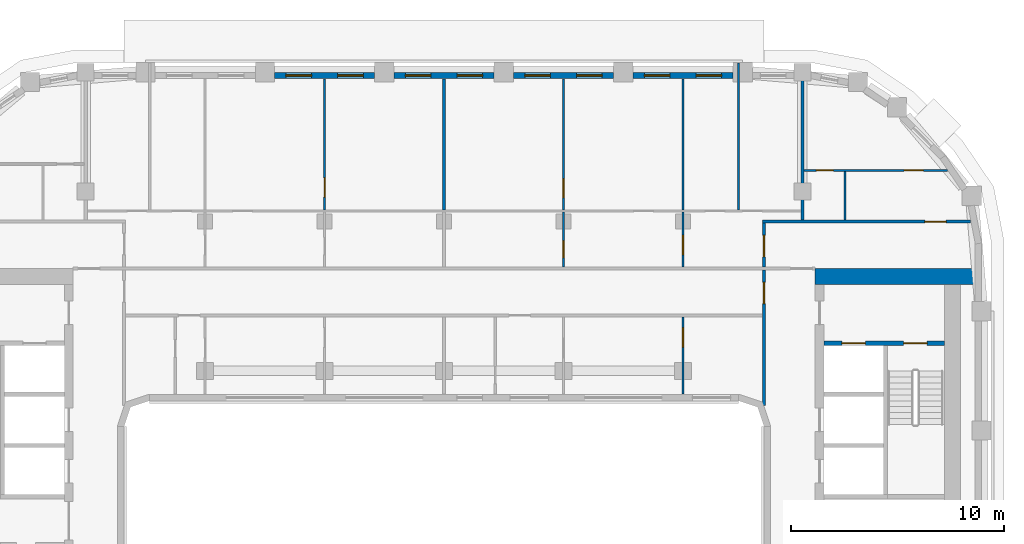
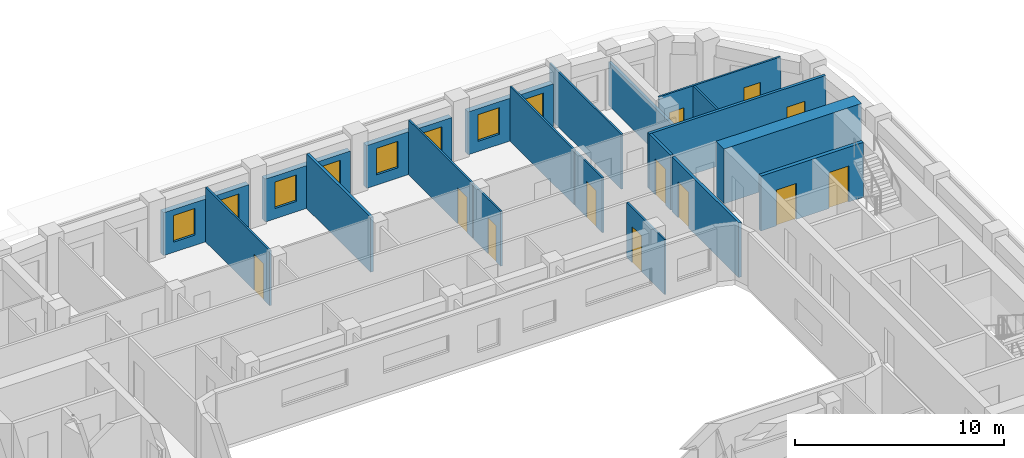
# One storey, part 8 of 20: 20 walls, 12 doors, 8 windows, 20 openings.
"""IFC4 building model written with IfcOpenShell, lengths in metres."""

from ifc_helpers import new_model, si_unit, direction, frame, frame_2d, origin, place, context, subcontext, project, spatial, rectangle, extrude, material, layer, layer_set, type_object, element, fill, save


model = new_model("IFC4")

# Units and contexts
model_context = context("Model", 3, precision=1e-05, world=origin(), true_north=direction((0.0, 1.0)))
body_context = subcontext(model_context, "Body", "Model", "MODEL_VIEW")
ifc_project = project(units=[si_unit("LENGTHUNIT", "METRE"), si_unit("AREAUNIT", "SQUARE_METRE"), si_unit("VOLUMEUNIT", "CUBIC_METRE"), si_unit("PLANEANGLEUNIT", "RADIAN"), si_unit("MASSUNIT", "GRAM", prefix="KILO")], contexts=[model_context])

# Site, building, storey
site_placement = place(None, origin())
site = spatial("IfcSite", under=ifc_project, at=site_placement, CompositionType="ELEMENT")
building_placement = place(site_placement, origin())
building = spatial("IfcBuilding", under=site, at=building_placement, Name="Kiln Ring Residences", CompositionType="ELEMENT")
storey_placement = place(building_placement, frame((0.0, 0.0, 206.39990234375)))
storey = spatial("IfcBuildingStorey", under=building, at=storey_placement, Name="L53", CompositionType="ELEMENT", Elevation=206.39990234375)

# Wall, openings, doors
ifc_material_1 = material(Name="Concrete C40/50", Category="concrete")
ifc_layer_1 = layer(ifc_material_1, 0.199951171875)
ifc_layer_set_1 = layer_set([ifc_layer_1], Name="CORE-WALL-RC200")
wall_type_1 = type_object("IfcWallType", Name="CORE-WALL-RC200", PredefinedType="SHEAR", material=ifc_layer_set_1)
wall_1_placement = place(storey_placement, frame((17.800048828125, 9.699951171875, 0.0), z_axis=(0.0, 0.0, 1.0), x_axis=(1.0, 0.0, 0.0)))
wall_1 = element("IfcWall", 1, at=wall_1_placement, inside=storey, type_object=wall_type_1, Name="Core wall east L53 9", PredefinedType="SHEAR", context=body_context, shape_type="SweptSolid", body=[
    extrude(rectangle(XDim=5.64990234375, YDim=0.199951171875, at=frame_2d((2.824951171875, 0.0))), origin(), (0.0, 0.0, 1.0), 3.2001953125),
])
opening_1_placement = place(wall_1_placement, frame((0.85009765625, 0.0, 0.0)))
opening_1 = element("IfcOpeningElement", 2, at=opening_1_placement, cuts=wall_1, Name="Opening L53-CE06", PredefinedType="OPENING", context=body_context, shape_type="SweptSolid", body=[
    extrude(rectangle(XDim=1.10009765625, YDim=2.10009765625, at=frame_2d((0.550048828125, 1.050048828125))), frame((0.0, 0.10986328125, 0.0), z_axis=(0.0, -1.0, 0.0), x_axis=(1.0, 0.0, 0.0)), (0.0, 0.0, 1.0), 0.219970703125),
])
opening_2_placement = place(wall_1_placement, frame((3.75, 0.0, 0.0)))
opening_2 = element("IfcOpeningElement", 3, at=opening_2_placement, cuts=wall_1, Name="Opening L53-CE09", PredefinedType="OPENING", context=body_context, shape_type="SweptSolid", body=[
    extrude(rectangle(XDim=1.10009765625, YDim=2.10009765625, at=frame_2d((0.550048828125, 1.050048828125))), frame((0.0, 0.10986328125, 0.0), z_axis=(0.0, -1.0, 0.0), x_axis=(1.0, 0.0, 0.0)), (0.0, 0.0, 1.0), 0.219970703125),
])
ifc_material_2 = material(Name="Steel door leaf", Category="steel")
door_type_1 = type_object("IfcDoorType", Name="CORE-DOOR-LD", OperationType="DOUBLE_DOOR_SLIDING", PredefinedType="DOOR", material=ifc_material_2)
door_1_placement = place(opening_1_placement, origin())
door_1 = element("IfcDoor", 4, at=door_1_placement, inside=storey, type_object=door_type_1, Name="LD E-FF L53-CE06", OperationType="DOUBLE_DOOR_SLIDING", OverallHeight=2.10009765625, OverallWidth=1.10009765625, PredefinedType="DOOR", context=body_context, shape_type="SweptSolid", body=[
    extrude(rectangle(XDim=1.10009765625, YDim=2.10009765625, at=frame_2d((0.550048828125, 1.050048828125))), frame((0.0, 0.02490234375, 0.0), z_axis=(0.0, -1.0, 0.0), x_axis=(1.0, 0.0, 0.0)), (0.0, 0.0, 1.0), 0.050048828125),
])
fill(opening_1, door_1)
ifc_material_3 = material(Name="Steel door leaf", Category="steel")
door_type_2 = type_object("IfcDoorType", Name="CORE-DOOR-STAIR", OperationType="SINGLE_SWING_LEFT", PredefinedType="DOOR", material=ifc_material_3)
door_2_placement = place(opening_2_placement, origin())
door_2 = element("IfcDoor", 5, at=door_2_placement, inside=storey, type_object=door_type_2, Name="Stair E-STN L53-CE09", OperationType="SINGLE_SWING_RIGHT", OverallHeight=2.10009765625, OverallWidth=1.10009765625, PredefinedType="DOOR", context=body_context, shape_type="SweptSolid", body=[
    extrude(rectangle(XDim=1.10009765625, YDim=2.10009765625, at=frame_2d((0.550048828125, 1.050048828125))), frame((0.0, 0.02490234375, 0.0), z_axis=(0.0, -1.0, 0.0), x_axis=(1.0, 0.0, 0.0)), (0.0, 0.0, 1.0), 0.050048828125),
])
fill(opening_2, door_2)

# Wall
ifc_material_4 = material(Name="Concrete C60/75", Category="concrete")
ifc_layer_2 = layer(ifc_material_4, 0.75)
ifc_layer_set_2 = layer_set([ifc_layer_2], Name="CORE-WALL-RC750")
wall_type_2 = type_object("IfcWallType", Name="CORE-WALL-RC750", PredefinedType="SHEAR", material=ifc_layer_set_2)
wall_2_placement = place(storey_placement, frame((17.39990234375, 12.824951171875, 0.0), z_axis=(0.0, 0.0, 1.0), x_axis=(1.0, 0.0, 0.0)))
element("IfcWall", 6, at=wall_2_placement, inside=storey, type_object=wall_type_2, Name="Core wall east L53 4", PredefinedType="SHEAR", context=body_context, shape_type="SweptSolid", body=[
    extrude(rectangle(XDim=7.60009765625, YDim=0.75, at=frame_2d((3.800048828125, 0.0))), origin(), (0.0, 0.0, 1.0), 3.2001953125),
])

# Wall, openings, windows
ifc_material_5 = material(Name="Brick masonry, dark clay brick", Category="masonry")
ifc_layer_3 = layer(ifc_material_5, 0.300048828125)
ifc_layer_set_3 = layer_set([ifc_layer_3], Name="EW-300 BRICK WALL")
wall_type_3 = type_object("IfcWallType", Name="EW-300 BRICK WALL", PredefinedType="SOLIDWALL", material=ifc_layer_set_3)
wall_3_placement = place(storey_placement, frame((13.550048828125, 22.25, 0.0), z_axis=(0.0, 0.0, 1.0), x_axis=(-1.0, 0.0, 0.0)))
wall_3 = element("IfcWall", 7, at=wall_3_placement, inside=storey, type_object=wall_type_3, Name="Facade wall L53 28", PredefinedType="SOLIDWALL", context=body_context, shape_type="SweptSolid", body=[
    extrude(rectangle(XDim=4.699951171875, YDim=0.300048828125, at=frame_2d((2.35009765625, 0.0))), origin(), (0.0, 0.0, 1.0), 2.5),
])
opening_3_placement = place(wall_3_placement, frame((0.53759765625, 0.0, 0.60009765625)))
opening_3 = element("IfcOpeningElement", 8, at=opening_3_placement, cuts=wall_3, Name="Opening W1", PredefinedType="OPENING", context=body_context, shape_type="SweptSolid", body=[
    extrude(rectangle(XDim=1.199951171875, YDim=1.550048828125, at=frame_2d((0.60009765625, 0.77490234375))), frame((0.0, 0.159912109375, 0.0), z_axis=(0.0, -1.0, 0.0), x_axis=(1.0, 0.0, 0.0)), (0.0, 0.0, 1.0), 0.320068359375),
])
opening_4_placement = place(wall_3_placement, frame((2.96240234375, 0.0, 0.60009765625)))
opening_4 = element("IfcOpeningElement", 9, at=opening_4_placement, cuts=wall_3, Name="Opening W1", PredefinedType="OPENING", context=body_context, shape_type="SweptSolid", body=[
    extrude(rectangle(XDim=1.199951171875, YDim=1.550048828125, at=frame_2d((0.60009765625, 0.77490234375))), frame((0.0, 0.159912109375, 0.0), z_axis=(0.0, -1.0, 0.0), x_axis=(1.0, 0.0, 0.0)), (0.0, 0.0, 1.0), 0.320068359375),
])
ifc_material_6 = material(Name="Aluminium frame with double glazing", Category="aluminium")
window_type = type_object("IfcWindowType", Name="WINDOW 1200 x 1550", PartitioningType="SINGLE_PANEL", PredefinedType="WINDOW", material=ifc_material_6)
window_1_placement = place(opening_3_placement, origin())
window_1 = element("IfcWindow", 10, at=window_1_placement, inside=storey, type_object=window_type, Name="Window L53 20", OverallHeight=1.550048828125, OverallWidth=1.199951171875, PartitioningType="SINGLE_PANEL", PredefinedType="WINDOW", context=body_context, shape_type="SweptSolid", body=[
    extrude(rectangle(XDim=1.199951171875, YDim=1.550048828125, at=frame_2d((0.60009765625, 0.77490234375))), frame((0.0, 0.030029296875, 0.0), z_axis=(0.0, -1.0, 0.0), x_axis=(1.0, 0.0, 0.0)), (0.0, 0.0, 1.0), 0.06005859375),
])
fill(opening_3, window_1)
window_2_placement = place(opening_4_placement, origin())
window_2 = element("IfcWindow", 11, at=window_2_placement, inside=storey, type_object=window_type, Name="Window L53 21", OverallHeight=1.550048828125, OverallWidth=1.199951171875, PartitioningType="SINGLE_PANEL", PredefinedType="WINDOW", context=body_context, shape_type="SweptSolid", body=[
    extrude(rectangle(XDim=1.199951171875, YDim=1.550048828125, at=frame_2d((0.60009765625, 0.77490234375))), frame((0.0, 0.030029296875, 0.0), z_axis=(0.0, -1.0, 0.0), x_axis=(1.0, 0.0, 0.0)), (0.0, 0.0, 1.0), 0.06005859375),
])
fill(opening_4, window_2)

wall_4_placement = place(storey_placement, frame((7.949951171875, 22.25, 0.0), z_axis=(0.0, 0.0, 1.0), x_axis=(-1.0, 0.0, 0.0)))
wall_4 = element("IfcWall", 12, at=wall_4_placement, inside=storey, type_object=wall_type_3, Name="Facade wall L53 29", PredefinedType="SOLIDWALL", context=body_context, shape_type="SweptSolid", body=[
    extrude(rectangle(XDim=4.699951171875, YDim=0.300048828125, at=frame_2d((2.35009765625, 0.0))), origin(), (0.0, 0.0, 1.0), 2.5),
])
opening_5_placement = place(wall_4_placement, frame((0.53759765625, 0.0, 0.60009765625)))
opening_5 = element("IfcOpeningElement", 13, at=opening_5_placement, cuts=wall_4, Name="Opening W1", PredefinedType="OPENING", context=body_context, shape_type="SweptSolid", body=[
    extrude(rectangle(XDim=1.199951171875, YDim=1.550048828125, at=frame_2d((0.60009765625, 0.77490234375))), frame((0.0, 0.159912109375, 0.0), z_axis=(0.0, -1.0, 0.0), x_axis=(1.0, 0.0, 0.0)), (0.0, 0.0, 1.0), 0.320068359375),
])
opening_6_placement = place(wall_4_placement, frame((2.96240234375, 0.0, 0.60009765625)))
opening_6 = element("IfcOpeningElement", 14, at=opening_6_placement, cuts=wall_4, Name="Opening W1", PredefinedType="OPENING", context=body_context, shape_type="SweptSolid", body=[
    extrude(rectangle(XDim=1.199951171875, YDim=1.550048828125, at=frame_2d((0.60009765625, 0.77490234375))), frame((0.0, 0.159912109375, 0.0), z_axis=(0.0, -1.0, 0.0), x_axis=(1.0, 0.0, 0.0)), (0.0, 0.0, 1.0), 0.320068359375),
])
window_3_placement = place(opening_5_placement, origin())
window_3 = element("IfcWindow", 15, at=window_3_placement, inside=storey, type_object=window_type, Name="Window L53 22", OverallHeight=1.550048828125, OverallWidth=1.199951171875, PartitioningType="SINGLE_PANEL", PredefinedType="WINDOW", context=body_context, shape_type="SweptSolid", body=[
    extrude(rectangle(XDim=1.199951171875, YDim=1.550048828125, at=frame_2d((0.60009765625, 0.77490234375))), frame((0.0, 0.030029296875, 0.0), z_axis=(0.0, -1.0, 0.0), x_axis=(1.0, 0.0, 0.0)), (0.0, 0.0, 1.0), 0.06005859375),
])
fill(opening_5, window_3)
window_4_placement = place(opening_6_placement, origin())
window_4 = element("IfcWindow", 16, at=window_4_placement, inside=storey, type_object=window_type, Name="Window L53 23", OverallHeight=1.550048828125, OverallWidth=1.199951171875, PartitioningType="SINGLE_PANEL", PredefinedType="WINDOW", context=body_context, shape_type="SweptSolid", body=[
    extrude(rectangle(XDim=1.199951171875, YDim=1.550048828125, at=frame_2d((0.60009765625, 0.77490234375))), frame((0.0, 0.030029296875, 0.0), z_axis=(0.0, -1.0, 0.0), x_axis=(1.0, 0.0, 0.0)), (0.0, 0.0, 1.0), 0.06005859375),
])
fill(opening_6, window_4)

wall_5_placement = place(storey_placement, frame((2.35009765625, 22.25, 0.0), z_axis=(0.0, 0.0, 1.0), x_axis=(-1.0, 0.0, 0.0)))
wall_5 = element("IfcWall", 17, at=wall_5_placement, inside=storey, type_object=wall_type_3, Name="Facade wall L53 30", PredefinedType="SOLIDWALL", context=body_context, shape_type="SweptSolid", body=[
    extrude(rectangle(XDim=4.7001953125, YDim=0.300048828125, at=frame_2d((2.35009765625, 0.0))), origin(), (0.0, 0.0, 1.0), 2.5),
])
opening_7_placement = place(wall_5_placement, frame((0.53759765625, 0.0, 0.60009765625)))
opening_7 = element("IfcOpeningElement", 18, at=opening_7_placement, cuts=wall_5, Name="Opening W1", PredefinedType="OPENING", context=body_context, shape_type="SweptSolid", body=[
    extrude(rectangle(XDim=1.199951171875, YDim=1.550048828125, at=frame_2d((0.60009765625, 0.77490234375))), frame((0.0, 0.159912109375, 0.0), z_axis=(0.0, -1.0, 0.0), x_axis=(1.0, 0.0, 0.0)), (0.0, 0.0, 1.0), 0.320068359375),
])
opening_8_placement = place(wall_5_placement, frame((2.96240234375, 0.0, 0.60009765625)))
opening_8 = element("IfcOpeningElement", 19, at=opening_8_placement, cuts=wall_5, Name="Opening W1", PredefinedType="OPENING", context=body_context, shape_type="SweptSolid", body=[
    extrude(rectangle(XDim=1.199951171875, YDim=1.550048828125, at=frame_2d((0.60009765625, 0.77490234375))), frame((0.0, 0.159912109375, 0.0), z_axis=(0.0, -1.0, 0.0), x_axis=(1.0, 0.0, 0.0)), (0.0, 0.0, 1.0), 0.320068359375),
])
window_5_placement = place(opening_7_placement, origin())
window_5 = element("IfcWindow", 20, at=window_5_placement, inside=storey, type_object=window_type, Name="Window L53 24", OverallHeight=1.550048828125, OverallWidth=1.199951171875, PartitioningType="SINGLE_PANEL", PredefinedType="WINDOW", context=body_context, shape_type="SweptSolid", body=[
    extrude(rectangle(XDim=1.199951171875, YDim=1.550048828125, at=frame_2d((0.60009765625, 0.77490234375))), frame((0.0, 0.030029296875, 0.0), z_axis=(0.0, -1.0, 0.0), x_axis=(1.0, 0.0, 0.0)), (0.0, 0.0, 1.0), 0.06005859375),
])
fill(opening_7, window_5)
window_6_placement = place(opening_8_placement, origin())
window_6 = element("IfcWindow", 21, at=window_6_placement, inside=storey, type_object=window_type, Name="Window L53 25", OverallHeight=1.550048828125, OverallWidth=1.199951171875, PartitioningType="SINGLE_PANEL", PredefinedType="WINDOW", context=body_context, shape_type="SweptSolid", body=[
    extrude(rectangle(XDim=1.199951171875, YDim=1.550048828125, at=frame_2d((0.60009765625, 0.77490234375))), frame((0.0, 0.030029296875, 0.0), z_axis=(0.0, -1.0, 0.0), x_axis=(1.0, 0.0, 0.0)), (0.0, 0.0, 1.0), 0.06005859375),
])
fill(opening_8, window_6)

wall_6_placement = place(storey_placement, frame((-3.25, 22.25, 0.0), z_axis=(0.0, 0.0, 1.0), x_axis=(-1.0, 0.0, 0.0)))
wall_6 = element("IfcWall", 22, at=wall_6_placement, inside=storey, type_object=wall_type_3, Name="Facade wall L53 31", PredefinedType="SOLIDWALL", context=body_context, shape_type="SweptSolid", body=[
    extrude(rectangle(XDim=4.699951171875, YDim=0.300048828125, at=frame_2d((2.35009765625, 0.0))), origin(), (0.0, 0.0, 1.0), 2.5),
])
opening_9_placement = place(wall_6_placement, frame((0.53759765625, 0.0, 0.60009765625)))
opening_9 = element("IfcOpeningElement", 23, at=opening_9_placement, cuts=wall_6, Name="Opening W1", PredefinedType="OPENING", context=body_context, shape_type="SweptSolid", body=[
    extrude(rectangle(XDim=1.199951171875, YDim=1.550048828125, at=frame_2d((0.60009765625, 0.77490234375))), frame((0.0, 0.159912109375, 0.0), z_axis=(0.0, -1.0, 0.0), x_axis=(1.0, 0.0, 0.0)), (0.0, 0.0, 1.0), 0.320068359375),
])
opening_10_placement = place(wall_6_placement, frame((2.96240234375, 0.0, 0.60009765625)))
opening_10 = element("IfcOpeningElement", 24, at=opening_10_placement, cuts=wall_6, Name="Opening W1", PredefinedType="OPENING", context=body_context, shape_type="SweptSolid", body=[
    extrude(rectangle(XDim=1.199951171875, YDim=1.550048828125, at=frame_2d((0.60009765625, 0.77490234375))), frame((0.0, 0.159912109375, 0.0), z_axis=(0.0, -1.0, 0.0), x_axis=(1.0, 0.0, 0.0)), (0.0, 0.0, 1.0), 0.320068359375),
])
window_7_placement = place(opening_9_placement, origin())
window_7 = element("IfcWindow", 25, at=window_7_placement, inside=storey, type_object=window_type, Name="Window L53 26", OverallHeight=1.550048828125, OverallWidth=1.199951171875, PartitioningType="SINGLE_PANEL", PredefinedType="WINDOW", context=body_context, shape_type="SweptSolid", body=[
    extrude(rectangle(XDim=1.199951171875, YDim=1.550048828125, at=frame_2d((0.60009765625, 0.77490234375))), frame((0.0, 0.030029296875, 0.0), z_axis=(0.0, -1.0, 0.0), x_axis=(1.0, 0.0, 0.0)), (0.0, 0.0, 1.0), 0.06005859375),
])
fill(opening_9, window_7)
window_8_placement = place(opening_10_placement, origin())
window_8 = element("IfcWindow", 26, at=window_8_placement, inside=storey, type_object=window_type, Name="Window L53 27", OverallHeight=1.550048828125, OverallWidth=1.199951171875, PartitioningType="SINGLE_PANEL", PredefinedType="WINDOW", context=body_context, shape_type="SweptSolid", body=[
    extrude(rectangle(XDim=1.199951171875, YDim=1.550048828125, at=frame_2d((0.60009765625, 0.77490234375))), frame((0.0, 0.030029296875, 0.0), z_axis=(0.0, -1.0, 0.0), x_axis=(1.0, 0.0, 0.0)), (0.0, 0.0, 1.0), 0.06005859375),
])
fill(opening_10, window_8)

# Wall, openings, doors
ifc_material_7 = material(Name="Gypsum board on steel studs", Category="steel")
ifc_layer_4 = layer(ifc_material_7, 0.10009765625)
ifc_layer_set_4 = layer_set([ifc_layer_4], Name="PARTITION-100")
wall_type_4 = type_object("IfcWallType", Name="PARTITION-100", PredefinedType="PARTITIONING", material=ifc_layer_set_4)
wall_7_placement = place(storey_placement, frame((16.875, 17.800048828125, 0.0), z_axis=(0.0, 0.0, 1.0), x_axis=(1.0, 0.0, 0.0)))
wall_7 = element("IfcWall", 27, at=wall_7_placement, inside=storey, type_object=wall_type_4, Name="Partition 012", PredefinedType="PARTITIONING", context=body_context, shape_type="SweptSolid", body=[
    extrude(rectangle(XDim=6.718994140625, YDim=0.10009765625, at=frame_2d((3.359375, 0.0))), origin(), (0.0, 0.0, 1.0), 3.2001953125),
])
opening_11_placement = place(wall_7_placement, frame((0.574951171875, 0.0, 0.0)))
opening_11 = element("IfcOpeningElement", 28, at=opening_11_placement, cuts=wall_7, Name="Opening L53-D032", PredefinedType="OPENING", context=body_context, shape_type="SweptSolid", body=[
    extrude(rectangle(XDim=0.800048828125, YDim=2.10009765625, at=frame_2d((0.39990234375, 1.050048828125))), frame((0.0, 0.06005859375, 0.0), z_axis=(0.0, -1.0, 0.0), x_axis=(1.0, 0.0, 0.0)), (0.0, 0.0, 1.0), 0.1201171875),
])
opening_12_placement = place(wall_7_placement, frame((4.693115234375, 0.0, 0.0)))
opening_12 = element("IfcOpeningElement", 29, at=opening_12_placement, cuts=wall_7, Name="Opening L53-D033", PredefinedType="OPENING", context=body_context, shape_type="SweptSolid", body=[
    extrude(rectangle(XDim=0.89990234375, YDim=2.10009765625, at=frame_2d((0.449951171875, 1.050048828125))), frame((0.0, 0.06005859375, 0.0), z_axis=(0.0, -1.0, 0.0), x_axis=(1.0, 0.0, 0.0)), (0.0, 0.0, 1.0), 0.1201171875),
])
ifc_material_8 = material(Name="Timber door leaf", Category="wood")
door_type_3 = type_object("IfcDoorType", Name="FLAT-DOOR-800-PL", OperationType="SINGLE_SWING_LEFT", PredefinedType="DOOR", material=ifc_material_8)
door_3_placement = place(opening_11_placement, origin())
door_3 = element("IfcDoor", 30, at=door_3_placement, inside=storey, type_object=door_type_3, Name="Door L53-D032", OperationType="SINGLE_SWING_RIGHT", OverallHeight=2.10009765625, OverallWidth=0.800048828125, PredefinedType="DOOR", context=body_context, shape_type="SweptSolid", body=[
    extrude(rectangle(XDim=0.800048828125, YDim=2.10009765625, at=frame_2d((0.39990234375, 1.050048828125))), frame((0.0, 0.02490234375, 0.0), z_axis=(0.0, -1.0, 0.0), x_axis=(1.0, 0.0, 0.0)), (0.0, 0.0, 1.0), 0.050048828125),
])
fill(opening_11, door_3)
ifc_material_9 = material(Name="Timber door leaf", Category="wood")
door_type_4 = type_object("IfcDoorType", Name="FLAT-DOOR-900-PL", OperationType="SINGLE_SWING_LEFT", PredefinedType="DOOR", material=ifc_material_9)
door_4_placement = place(opening_12_placement, origin())
door_4 = element("IfcDoor", 31, at=door_4_placement, inside=storey, type_object=door_type_4, Name="Door L53-D033", OperationType="SINGLE_SWING_LEFT", OverallHeight=2.10009765625, OverallWidth=0.89990234375, PredefinedType="DOOR", context=body_context, shape_type="SweptSolid", body=[
    extrude(rectangle(XDim=0.89990234375, YDim=2.10009765625, at=frame_2d((0.449951171875, 1.050048828125))), frame((0.0, 0.02490234375, 0.0), z_axis=(0.0, -1.0, 0.0), x_axis=(1.0, 0.0, 0.0)), (0.0, 0.0, 1.0), 0.050048828125),
])
fill(opening_12, door_4)

# Wall, opening, door
wall_8_placement = place(storey_placement, frame((-5.60009765625, 15.949951171875, 0.0), z_axis=(0.0, 0.0, 1.0), x_axis=(0.0, 1.0, 0.0)))
wall_8 = element("IfcWall", 32, at=wall_8_placement, inside=storey, type_object=wall_type_4, Name="Partition 036", PredefinedType="PARTITIONING", context=body_context, shape_type="SweptSolid", body=[
    extrude(rectangle(XDim=6.130126953125, YDim=0.10009765625, at=frame_2d((3.06494140625, 0.0))), origin(), (0.0, 0.0, 1.0), 3.2001953125),
])
opening_13_placement = place(wall_8_placement, frame((0.60009765625, 0.0, 0.0)))
opening_13 = element("IfcOpeningElement", 33, at=opening_13_placement, cuts=wall_8, Name="Opening L53-D023", PredefinedType="OPENING", context=body_context, shape_type="SweptSolid", body=[
    extrude(rectangle(XDim=0.89990234375, YDim=2.10009765625, at=frame_2d((0.449951171875, 1.050048828125))), frame((0.0, 0.06005859375, 0.0), z_axis=(0.0, -1.0, 0.0), x_axis=(1.0, 0.0, 0.0)), (0.0, 0.0, 1.0), 0.1201171875),
])
door_5_placement = place(opening_13_placement, origin())
door_5 = element("IfcDoor", 34, at=door_5_placement, inside=storey, type_object=door_type_4, Name="Door L53-D023", OperationType="SINGLE_SWING_LEFT", OverallHeight=2.10009765625, OverallWidth=0.89990234375, PredefinedType="DOOR", context=body_context, shape_type="SweptSolid", body=[
    extrude(rectangle(XDim=0.89990234375, YDim=2.10009765625, at=frame_2d((0.449951171875, 1.050048828125))), frame((0.0, 0.02490234375, 0.0), z_axis=(0.0, -1.0, 0.0), x_axis=(1.0, 0.0, 0.0)), (0.0, 0.0, 1.0), 0.050048828125),
])
fill(opening_13, door_5)

wall_9_placement = place(storey_placement, frame((5.60009765625, 13.27490234375, 0.0), z_axis=(0.0, 0.0, 1.0), x_axis=(0.0, 1.0, 0.0)))
wall_9 = element("IfcWall", 35, at=wall_9_placement, inside=storey, type_object=wall_type_4, Name="Partition 048", PredefinedType="PARTITIONING", context=body_context, shape_type="SweptSolid", body=[
    extrude(rectangle(XDim=2.5751953125, YDim=0.10009765625, at=frame_2d((1.28759765625, 0.0))), origin(), (0.0, 0.0, 1.0), 3.2001953125),
])
opening_14_placement = place(wall_9_placement, frame((0.425048828125, 0.0, 0.0)))
opening_14 = element("IfcOpeningElement", 36, at=opening_14_placement, cuts=wall_9, Name="Opening L53-D026", PredefinedType="OPENING", context=body_context, shape_type="SweptSolid", body=[
    extrude(rectangle(XDim=0.800048828125, YDim=2.10009765625, at=frame_2d((0.39990234375, 1.050048828125))), frame((0.0, 0.06005859375, 0.0), z_axis=(0.0, -1.0, 0.0), x_axis=(1.0, 0.0, 0.0)), (0.0, 0.0, 1.0), 0.1201171875),
])
door_6_placement = place(opening_14_placement, origin())
door_6 = element("IfcDoor", 37, at=door_6_placement, inside=storey, type_object=door_type_3, Name="Door L53-D026", OperationType="SINGLE_SWING_RIGHT", OverallHeight=2.10009765625, OverallWidth=0.800048828125, PredefinedType="DOOR", context=body_context, shape_type="SweptSolid", body=[
    extrude(rectangle(XDim=0.800048828125, YDim=2.10009765625, at=frame_2d((0.39990234375, 1.050048828125))), frame((0.0, 0.02490234375, 0.0), z_axis=(0.0, -1.0, 0.0), x_axis=(1.0, 0.0, 0.0)), (0.0, 0.0, 1.0), 0.050048828125),
])
fill(opening_14, door_6)

wall_10_placement = place(storey_placement, frame((5.60009765625, 15.949951171875, 0.0), z_axis=(0.0, 0.0, 1.0), x_axis=(0.0, 1.0, 0.0)))
wall_10 = element("IfcWall", 38, at=wall_10_placement, inside=storey, type_object=wall_type_4, Name="Partition 049", PredefinedType="PARTITIONING", context=body_context, shape_type="SweptSolid", body=[
    extrude(rectangle(XDim=6.130126953125, YDim=0.10009765625, at=frame_2d((3.06494140625, 0.0))), origin(), (0.0, 0.0, 1.0), 3.2001953125),
])
opening_15_placement = place(wall_10_placement, frame((0.56005859375, 0.0, 0.0)))
opening_15 = element("IfcOpeningElement", 39, at=opening_15_placement, cuts=wall_10, Name="Opening L53-D030", PredefinedType="OPENING", context=body_context, shape_type="SweptSolid", body=[
    extrude(rectangle(XDim=0.89990234375, YDim=2.10009765625, at=frame_2d((0.449951171875, 1.050048828125))), frame((0.0, 0.06005859375, 0.0), z_axis=(0.0, -1.0, 0.0), x_axis=(1.0, 0.0, 0.0)), (0.0, 0.0, 1.0), 0.1201171875),
])
door_7_placement = place(opening_15_placement, origin())
door_7 = element("IfcDoor", 40, at=door_7_placement, inside=storey, type_object=door_type_4, Name="Door L53-D030", OperationType="SINGLE_SWING_RIGHT", OverallHeight=2.10009765625, OverallWidth=0.89990234375, PredefinedType="DOOR", context=body_context, shape_type="SweptSolid", body=[
    extrude(rectangle(XDim=0.89990234375, YDim=2.10009765625, at=frame_2d((0.449951171875, 1.050048828125))), frame((0.0, 0.02490234375, 0.0), z_axis=(0.0, -1.0, 0.0), x_axis=(1.0, 0.0, 0.0)), (0.0, 0.0, 1.0), 0.050048828125),
])
fill(opening_15, door_7)

wall_11_placement = place(storey_placement, frame((11.199951171875, 7.320068359375, 0.0), z_axis=(0.0, 0.0, 1.0), x_axis=(0.0, 1.0, 0.0)))
wall_11 = element("IfcWall", 41, at=wall_11_placement, inside=storey, type_object=wall_type_4, Name="Partition 053", PredefinedType="PARTITIONING", context=body_context, shape_type="SweptSolid", body=[
    extrude(rectangle(XDim=3.60498046875, YDim=0.10009765625, at=frame_2d((1.802490234375, 0.0))), origin(), (0.0, 0.0, 1.0), 3.2001953125),
])
opening_16_placement = place(wall_11_placement, frame((2.199951171875, 0.0, 0.0)))
opening_16 = element("IfcOpeningElement", 42, at=opening_16_placement, cuts=wall_11, Name="Opening L53-D016", PredefinedType="OPENING", context=body_context, shape_type="SweptSolid", body=[
    extrude(rectangle(XDim=0.89990234375, YDim=2.10009765625, at=frame_2d((0.449951171875, 1.050048828125))), frame((0.0, 0.06005859375, 0.0), z_axis=(0.0, -1.0, 0.0), x_axis=(1.0, 0.0, 0.0)), (0.0, 0.0, 1.0), 0.1201171875),
])
door_8_placement = place(opening_16_placement, origin())
door_8 = element("IfcDoor", 43, at=door_8_placement, inside=storey, type_object=door_type_4, Name="Door L53-D016", OperationType="SINGLE_SWING_RIGHT", OverallHeight=2.10009765625, OverallWidth=0.89990234375, PredefinedType="DOOR", context=body_context, shape_type="SweptSolid", body=[
    extrude(rectangle(XDim=0.89990234375, YDim=2.10009765625, at=frame_2d((0.449951171875, 1.050048828125))), frame((0.0, 0.02490234375, 0.0), z_axis=(0.0, -1.0, 0.0), x_axis=(1.0, 0.0, 0.0)), (0.0, 0.0, 1.0), 0.050048828125),
])
fill(opening_16, door_8)

wall_12_placement = place(storey_placement, frame((11.199951171875, 13.27490234375, 0.0), z_axis=(0.0, 0.0, 1.0), x_axis=(0.0, 1.0, 0.0)))
wall_12 = element("IfcWall", 44, at=wall_12_placement, inside=storey, type_object=wall_type_4, Name="Partition 054", PredefinedType="PARTITIONING", context=body_context, shape_type="SweptSolid", body=[
    extrude(rectangle(XDim=2.5751953125, YDim=0.10009765625, at=frame_2d((1.28759765625, 0.0))), origin(), (0.0, 0.0, 1.0), 3.2001953125),
])
opening_17_placement = place(wall_12_placement, frame((0.574951171875, 0.0, 0.0)))
opening_17 = element("IfcOpeningElement", 45, at=opening_17_placement, cuts=wall_12, Name="Opening L53-D025", PredefinedType="OPENING", context=body_context, shape_type="SweptSolid", body=[
    extrude(rectangle(XDim=0.89990234375, YDim=2.10009765625, at=frame_2d((0.449951171875, 1.050048828125))), frame((0.0, 0.06005859375, 0.0), z_axis=(0.0, -1.0, 0.0), x_axis=(1.0, 0.0, 0.0)), (0.0, 0.0, 1.0), 0.1201171875),
])
door_9_placement = place(opening_17_placement, origin())
door_9 = element("IfcDoor", 46, at=door_9_placement, inside=storey, type_object=door_type_4, Name="Door L53-D025", OperationType="SINGLE_SWING_RIGHT", OverallHeight=2.10009765625, OverallWidth=0.89990234375, PredefinedType="DOOR", context=body_context, shape_type="SweptSolid", body=[
    extrude(rectangle(XDim=0.89990234375, YDim=2.10009765625, at=frame_2d((0.449951171875, 1.050048828125))), frame((0.0, 0.02490234375, 0.0), z_axis=(0.0, -1.0, 0.0), x_axis=(1.0, 0.0, 0.0)), (0.0, 0.0, 1.0), 0.050048828125),
])
fill(opening_17, door_9)

# Walls
wall_13_placement = place(storey_placement, frame((11.199951171875, 15.949951171875, 0.0), z_axis=(0.0, 0.0, 1.0), x_axis=(0.0, 1.0, 0.0)))
element("IfcWall", 47, at=wall_13_placement, inside=storey, type_object=wall_type_4, Name="Partition 055", PredefinedType="PARTITIONING", context=body_context, shape_type="SweptSolid", body=[
    extrude(rectangle(XDim=6.130126953125, YDim=0.10009765625, at=frame_2d((3.06494140625, 0.0))), origin(), (0.0, 0.0, 1.0), 3.2001953125),
])
wall_14_placement = place(storey_placement, frame((13.800048828125, 15.949951171875, 0.0), z_axis=(0.0, 0.0, 1.0), x_axis=(0.0, 1.0, 0.0)))
element("IfcWall", 48, at=wall_14_placement, inside=storey, type_object=wall_type_4, Name="Partition 057", PredefinedType="PARTITIONING", context=body_context, shape_type="SweptSolid", body=[
    extrude(rectangle(XDim=6.880126953125, YDim=0.10009765625, at=frame_2d((3.43994140625, 0.0))), origin(), (0.0, 0.0, 1.0), 3.2001953125),
])
wall_15_placement = place(storey_placement, frame((18.800048828125, 15.47509765625, 0.0), z_axis=(0.0, 0.0, 1.0), x_axis=(0.0, 1.0, 0.0)))
element("IfcWall", 49, at=wall_15_placement, inside=storey, type_object=wall_type_4, Name="Partition 065", PredefinedType="PARTITIONING", context=body_context, shape_type="SweptSolid", body=[
    extrude(rectangle(XDim=2.27490234375, YDim=0.10009765625, at=frame_2d((1.137451171875, 0.0))), origin(), (0.0, 0.0, 1.0), 3.2001953125),
])

# Wall, opening, door
ifc_material_10 = material(Name="Brick masonry partition", Category="masonry")
ifc_layer_5 = layer(ifc_material_10, 0.14990234375)
ifc_layer_set_5 = layer_set([ifc_layer_5], Name="PARTITION-150-ei60")
wall_type_5 = type_object("IfcWallType", Name="PARTITION-150-ei60", PredefinedType="PARTITIONING", material=ifc_layer_set_5)
wall_16_placement = place(storey_placement, frame((14.925048828125, 15.39990234375, 0.0), z_axis=(0.0, 0.0, 1.0), x_axis=(1.0, 0.0, 0.0)))
wall_16 = element("IfcWall", 50, at=wall_16_placement, inside=storey, type_object=wall_type_5, Name="Partition 010", PredefinedType="PARTITIONING", context=body_context, shape_type="SweptSolid", body=[
    extrude(rectangle(XDim=9.7587890625, YDim=0.14990234375, at=frame_2d((4.87939453125, 0.0))), origin(), (0.0, 0.0, 1.0), 3.2001953125),
])
opening_18_placement = place(wall_16_placement, frame((7.615966796875, 0.0, 0.0)))
opening_18 = element("IfcOpeningElement", 51, at=opening_18_placement, cuts=wall_16, Name="Opening L53-D031", PredefinedType="OPENING", context=body_context, shape_type="SweptSolid", body=[
    extrude(rectangle(XDim=1.0, YDim=2.10009765625, at=frame_2d((0.5, 1.050048828125))), frame((0.0, 0.0849609375, 0.0), z_axis=(0.0, -1.0, 0.0), x_axis=(1.0, 0.0, 0.0)), (0.0, 0.0, 1.0), 0.169921875),
])
ifc_material_11 = material(Name="Steel faced fire door leaf", Category="steel")
door_type_5 = type_object("IfcDoorType", Name="FLAT-DOOR-1000-FR", OperationType="SINGLE_SWING_LEFT", PredefinedType="DOOR", material=ifc_material_11)
door_10_placement = place(opening_18_placement, origin())
door_10 = element("IfcDoor", 52, at=door_10_placement, inside=storey, type_object=door_type_5, Name="Door L53-D031", OperationType="SINGLE_SWING_LEFT", OverallHeight=2.10009765625, OverallWidth=1.0, PredefinedType="DOOR", context=body_context, shape_type="SweptSolid", body=[
    extrude(rectangle(XDim=1.0, YDim=2.10009765625, at=frame_2d((0.5, 1.050048828125))), frame((0.0, 0.02490234375, 0.0), z_axis=(0.0, -1.0, 0.0), x_axis=(1.0, 0.0, 0.0)), (0.0, 0.0, 1.0), 0.050048828125),
])
fill(opening_18, door_10)

# Wall
wall_17_placement = place(storey_placement, frame((0.0, 15.949951171875, 0.0), z_axis=(0.0, 0.0, 1.0), x_axis=(0.0, 1.0, 0.0)))
element("IfcWall", 53, at=wall_17_placement, inside=storey, type_object=wall_type_5, Name="Partition 042", PredefinedType="PARTITIONING", context=body_context, shape_type="SweptSolid", body=[
    extrude(rectangle(XDim=6.130126953125, YDim=0.14990234375, at=frame_2d((3.06494140625, 0.0))), origin(), (0.0, 0.0, 1.0), 3.2001953125),
])

# Wall, opening, door
wall_18_placement = place(storey_placement, frame((15.0, 6.768798828125, 0.0), z_axis=(0.0, 0.0, 1.0), x_axis=(0.0, 1.0, 0.0)))
wall_18 = element("IfcWall", 54, at=wall_18_placement, inside=storey, type_object=wall_type_5, Name="Partition 060", PredefinedType="PARTITIONING", context=body_context, shape_type="SweptSolid", body=[
    extrude(rectangle(XDim=6.356201171875, YDim=0.14990234375, at=frame_2d((3.17822265625, 0.0))), origin(), (0.0, 0.0, 1.0), 3.2001953125),
])
opening_19_placement = place(wall_18_placement, frame((4.78125, 0.0, 0.0)))
opening_19 = element("IfcOpeningElement", 55, at=opening_19_placement, cuts=wall_18, Name="Opening L53-D002", PredefinedType="OPENING", context=body_context, shape_type="SweptSolid", body=[
    extrude(rectangle(XDim=1.0, YDim=2.10009765625, at=frame_2d((0.5, 1.050048828125))), frame((0.0, 0.0849609375, 0.0), z_axis=(0.0, -1.0, 0.0), x_axis=(1.0, 0.0, 0.0)), (0.0, 0.0, 1.0), 0.169921875),
])
door_11_placement = place(opening_19_placement, origin())
door_11 = element("IfcDoor", 56, at=door_11_placement, inside=storey, type_object=door_type_5, Name="Door L53-D002", OperationType="SINGLE_SWING_LEFT", OverallHeight=2.10009765625, OverallWidth=1.0, PredefinedType="DOOR", context=body_context, shape_type="SweptSolid", body=[
    extrude(rectangle(XDim=1.0, YDim=2.10009765625, at=frame_2d((0.5, 1.050048828125))), frame((0.0, 0.02490234375, 0.0), z_axis=(0.0, -1.0, 0.0), x_axis=(1.0, 0.0, 0.0)), (0.0, 0.0, 1.0), 0.050048828125),
])
fill(opening_19, door_11)

wall_19_placement = place(storey_placement, frame((15.0, 13.27490234375, 0.0), z_axis=(0.0, 0.0, 1.0), x_axis=(0.0, 1.0, 0.0)))
wall_19 = element("IfcWall", 57, at=wall_19_placement, inside=storey, type_object=wall_type_5, Name="Partition 061", PredefinedType="PARTITIONING", context=body_context, shape_type="SweptSolid", body=[
    extrude(rectangle(XDim=2.050048828125, YDim=0.14990234375, at=frame_2d((1.02490234375, 0.0))), origin(), (0.0, 0.0, 1.0), 3.2001953125),
])
opening_20_placement = place(wall_19_placement, frame((0.47607421875, 0.0, 0.0)))
opening_20 = element("IfcOpeningElement", 58, at=opening_20_placement, cuts=wall_19, Name="Opening L53-D024", PredefinedType="OPENING", context=body_context, shape_type="SweptSolid", body=[
    extrude(rectangle(XDim=1.0, YDim=2.10009765625, at=frame_2d((0.5, 1.050048828125))), frame((0.0, 0.0849609375, 0.0), z_axis=(0.0, -1.0, 0.0), x_axis=(1.0, 0.0, 0.0)), (0.0, 0.0, 1.0), 0.169921875),
])
door_12_placement = place(opening_20_placement, origin())
door_12 = element("IfcDoor", 59, at=door_12_placement, inside=storey, type_object=door_type_5, Name="Door L53-D024", OperationType="SINGLE_SWING_RIGHT", OverallHeight=2.10009765625, OverallWidth=1.0, PredefinedType="DOOR", context=body_context, shape_type="SweptSolid", body=[
    extrude(rectangle(XDim=1.0, YDim=2.10009765625, at=frame_2d((0.5, 1.050048828125))), frame((0.0, 0.02490234375, 0.0), z_axis=(0.0, -1.0, 0.0), x_axis=(1.0, 0.0, 0.0)), (0.0, 0.0, 1.0), 0.050048828125),
])
fill(opening_20, door_12)

# Wall
wall_20_placement = place(storey_placement, frame((16.800048828125, 15.47509765625, 0.0), z_axis=(0.0, 0.0, 1.0), x_axis=(0.0, 1.0, 0.0)))
element("IfcWall", 60, at=wall_20_placement, inside=storey, type_object=wall_type_5, Name="Partition 063", PredefinedType="PARTITIONING", context=body_context, shape_type="SweptSolid", body=[
    extrude(rectangle(XDim=6.8349609375, YDim=0.14990234375, at=frame_2d((3.41748046875, 0.0))), origin(), (0.0, 0.0, 1.0), 2.550048828125),
])

save(model, "model.ifc")
